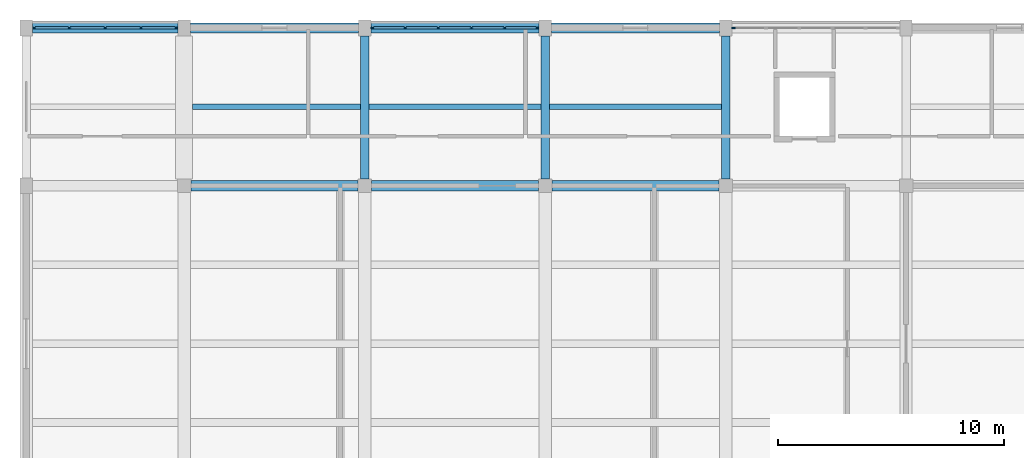
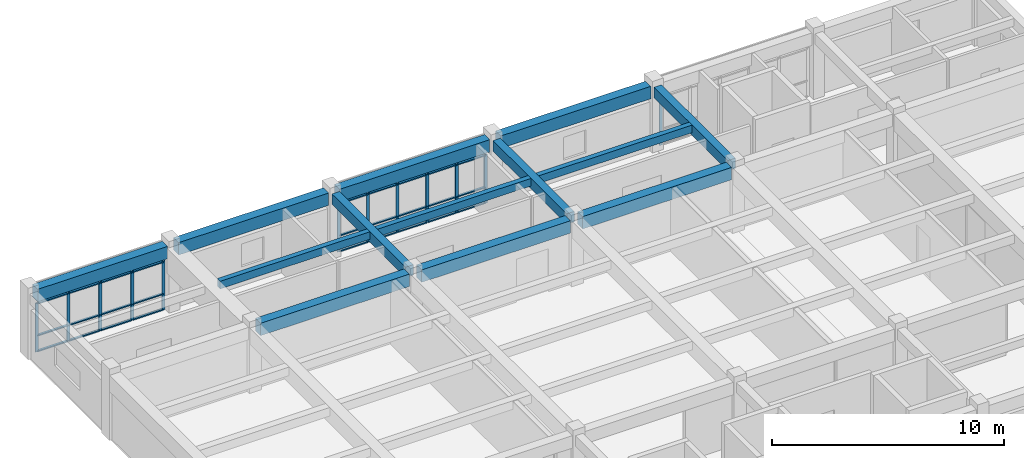
# One storey, part 2 of 17: 39 members, 13 beams, 3 elements without a shape of their own.
"""IFC4 building model written with IfcOpenShell, lengths in metres."""

from ifc_helpers import new_model, si_unit, direction, frame, origin, origin_2d, place, context, subcontext, project, spatial, rectangle, extrude, material, layer, layer_set, material_profile, profile_set, type_object, element, aggregate, save


model = new_model("IFC4")

# Units and contexts
model_context = context("Model", 3, precision=1e-05, world=origin(), true_north=direction((0.0, 1.0)))
body_context = subcontext(model_context, "Body", "Model", "MODEL_VIEW")
ifc_project = project(units=[si_unit("LENGTHUNIT", "METRE"), si_unit("AREAUNIT", "SQUARE_METRE"), si_unit("VOLUMEUNIT", "CUBIC_METRE"), si_unit("PLANEANGLEUNIT", "RADIAN"), si_unit("MASSUNIT", "GRAM", prefix="KILO")], contexts=[model_context])

# Site, building, storey
site_placement = place(None, origin())
site = spatial("IfcSite", under=ifc_project, at=site_placement, CompositionType="ELEMENT")
building_placement = place(site_placement, origin())
building = spatial("IfcBuilding", under=site, at=building_placement, Name="Naurynzar Civic Courthouse", CompositionType="ELEMENT")
storey_placement = place(building_placement, frame((0.0, 0.0, 29.550048828125)))
storey = spatial("IfcBuildingStorey", under=building, at=storey_placement, Name="L08", CompositionType="ELEMENT", Elevation=29.550048828125)

# Beams
ifc_material_1 = material(Name="Concrete C40/50", Category="concrete")
ifc_material_profile_1 = material_profile(ifc_material_1, rectangle(XDim=0.25, YDim=0.39990234375, at=origin_2d()), Name="RCB 250x400")
ifc_profile_set_1 = profile_set([ifc_material_profile_1], Name="Concrete C40/50")
beam_type_1 = type_object("IfcBeamType", Name="BM-JST-250x400", PredefinedType="JOIST", material=ifc_profile_set_1)
beam_1_placement = place(storey_placement, frame((69.375, 68.5, 3.22998046875), z_axis=(1.0, 0.0, 0.0), x_axis=(0.0, 1.0, 0.0)))
element("IfcBeam", 1, at=beam_1_placement, inside=storey, type_object=beam_type_1, Name="V2 secondary rib 1066 L08", PredefinedType="JOIST", context=body_context, shape_type="SweptSolid", body=[
    extrude(rectangle(XDim=0.25, YDim=0.39990234375, at=origin_2d()), origin(), (0.0, 0.0, 1.0), 7.4375),
])
for number, where, z_axis, x_axis, name in (
    (2, (77.1875, 68.5, 3.22998046875), (1.0, 0.0, 0.0), (0.0, 1.0, 0.0), "V2 secondary rib 1067 L08"),
    (3, (85.1875, 68.5, 3.22998046875), (1.0, 0.0, 0.0), (0.0, 1.0, 0.0), "V2 secondary rib 1068 L08"),
):
    element("IfcBeam", number, at=place(storey_placement, frame(where, z_axis=z_axis, x_axis=x_axis)), inside=storey, type_object=beam_type_1, Name=name, PredefinedType="JOIST", context=body_context, shape_type="SweptSolid", body=[
        extrude(rectangle(XDim=0.25, YDim=0.39990234375, at=origin_2d()), origin(), (0.0, 0.0, 1.0), 7.625),
    ])
ifc_material_2 = material(Name="Concrete C40/50", Category="concrete")
ifc_material_profile_2 = material_profile(ifc_material_2, rectangle(XDim=0.375, YDim=0.550048828125, at=origin_2d()), Name="RCB 375x550")
ifc_profile_set_2 = profile_set([ifc_material_profile_2], Name="Concrete C40/50")
beam_type_2 = type_object("IfcBeamType", Name="BM-RC-375x550", PredefinedType="BEAM", material=ifc_profile_set_2)
for number, where, z_axis, x_axis, name in (
    (4, (77.0, 65.300048828125, 3.155029296875), (0.0, 1.0, 0.0), (-1.0, 0.0, 0.0), "V2 girder Y-1032 L08"),
    (5, (85.0, 65.300048828125, 3.155029296875), (0.0, 1.0, 0.0), (-1.0, 0.0, 0.0), "V2 girder Y-1035 L08"),
    (6, (93.0, 65.300048828125, 3.155029296875), (0.0, 1.0, 0.0), (-1.0, 0.0, 0.0), "V2 girder Y-1038 L08"),
):
    element("IfcBeam", number, at=place(storey_placement, frame(where, z_axis=z_axis, x_axis=x_axis)), inside=storey, type_object=beam_type_2, Name=name, PredefinedType="BEAM", context=body_context, shape_type="SweptSolid", body=[
        extrude(rectangle(XDim=0.375, YDim=0.550048828125, at=origin_2d()), origin(), (0.0, 0.0, 1.0), 6.349853515625),
    ])
ifc_material_3 = material(Name="Concrete C40/50", Category="concrete")
ifc_material_profile_3 = material_profile(ifc_material_3, rectangle(XDim=0.449951171875, YDim=0.64990234375, at=origin_2d()), Name="RCB 450x650")
ifc_profile_set_3 = profile_set([ifc_material_profile_3], Name="Concrete C40/50")
beam_type_3 = type_object("IfcBeamType", Name="BM-RC-450x650", PredefinedType="BEAM", material=ifc_profile_set_3)
for number, where, z_axis, x_axis, name in (
    (7, (69.300048828125, 65.0, 3.10498046875), (1.0, 0.0, 0.0), (0.0, 1.0, 0.0), "V2 beam X-1013 L08"),
    (8, (77.300048828125, 65.0, 3.10498046875), (1.0, 0.0, 0.0), (0.0, 1.0, 0.0), "V2 beam X-1014 L08"),
    (9, (85.300048828125, 65.0, 3.10498046875), (1.0, 0.0, 0.0), (0.0, 1.0, 0.0), "V2 beam X-1015 L08"),
):
    element("IfcBeam", number, at=place(storey_placement, frame(where, z_axis=z_axis, x_axis=x_axis)), inside=storey, type_object=beam_type_3, Name=name, PredefinedType="BEAM", context=body_context, shape_type="SweptSolid", body=[
        extrude(rectangle(XDim=0.449951171875, YDim=0.64990234375, at=origin_2d()), origin(), (0.0, 0.0, 1.0), 7.39990234375),
    ])
beam_2_placement = place(storey_placement, frame((62.27490234375, 72.0, 3.10498046875), z_axis=(1.0, 0.0, 0.0), x_axis=(0.0, 1.0, 0.0)))
element("IfcBeam", 10, at=beam_2_placement, inside=storey, type_object=beam_type_3, Name="V2 beam X-1018 L08", PredefinedType="BEAM", context=body_context, shape_type="SweptSolid", body=[
    extrude(rectangle(XDim=0.449951171875, YDim=0.64990234375, at=origin_2d()), origin(), (0.0, 0.0, 1.0), 6.4501953125),
])
for number, where, z_axis, x_axis, name in (
    (11, (69.27490234375, 72.0, 3.10498046875), (1.0, 0.0, 0.0), (0.0, 1.0, 0.0), "V2 beam X-1019 L08"),
    (12, (77.27490234375, 72.0, 3.10498046875), (1.0, 0.0, 0.0), (0.0, 1.0, 0.0), "V2 beam X-1020 L08"),
    (13, (85.27490234375, 72.0, 3.10498046875), (1.0, 0.0, 0.0), (0.0, 1.0, 0.0), "V2 beam X-1021 L08"),
):
    element("IfcBeam", number, at=place(storey_placement, frame(where, z_axis=z_axis, x_axis=x_axis)), inside=storey, type_object=beam_type_3, Name=name, PredefinedType="BEAM", context=body_context, shape_type="SweptSolid", body=[
        extrude(rectangle(XDim=0.449951171875, YDim=0.64990234375, at=origin_2d()), origin(), (0.0, 0.0, 1.0), 7.4501953125),
    ])

# Curtain wall, members
ifc_material_4 = material(Name="Aluminium 6063-T6", Category="aluminium")
ifc_layer = layer(ifc_material_4, 0.179931640625)
ifc_layer_set = layer_set([ifc_layer], Name="CW-UNIT-1500")
curtain_wall_type = type_object("IfcCurtainWallType", Name="CW-UNIT-1500", PredefinedType="NOTDEFINED", material=ifc_layer_set)
curtain_wall_1_placement = place(storey_placement, origin())
curtain_wall_1 = element("IfcCurtainWall", 14, at=curtain_wall_1_placement, inside=storey, type_object=curtain_wall_type, Name="V2 unitised curtain wall 54 L08", PredefinedType="NOTDEFINED")
ifc_material_5 = material(Name="Aluminium 6063-T6", Category="aluminium")
ifc_material_profile_4 = material_profile(ifc_material_5, rectangle(XDim=0.06005859375, YDim=0.14990234375, at=origin_2d()), Name="ALU MULLION 60x150")
ifc_profile_set_4 = profile_set([ifc_material_profile_4], Name="Aluminium 6063-T6")
member_type_1 = type_object("IfcMemberType", Name="CWM-60x150", PredefinedType="MULLION", material=ifc_profile_set_4)
member_1_placement = place(storey_placement, frame((62.35498046875, 72.0, 0.0), z_axis=(0.0, 0.0, 1.0), x_axis=(0.0, 1.0, 0.0)))
member_1 = element("IfcMember", 15, at=member_1_placement, type_object=member_type_1, Name="CW-01 mullion 1", PredefinedType="MULLION", context=body_context, shape_type="SweptSolid", body=[
    extrude(rectangle(XDim=0.06005859375, YDim=0.14990234375, at=origin_2d()), origin(), (0.0, 0.0, 1.0), 2.56005859375),
])
member_2_placement = place(storey_placement, frame((63.91259765625, 72.0, 0.0), z_axis=(0.0, 0.0, 1.0), x_axis=(0.0, 1.0, 0.0)))
member_2 = element("IfcMember", 16, at=member_2_placement, type_object=member_type_1, Name="CW-01 mullion 2", PredefinedType="MULLION", context=body_context, shape_type="SweptSolid", body=[
    extrude(rectangle(XDim=0.06005859375, YDim=0.14990234375, at=origin_2d()), origin(), (0.0, 0.0, 1.0), 2.56005859375),
])
member_3_placement = place(storey_placement, frame((65.5, 72.0, 0.0), z_axis=(0.0, 0.0, 1.0), x_axis=(0.0, 1.0, 0.0)))
member_3 = element("IfcMember", 17, at=member_3_placement, type_object=member_type_1, Name="CW-01 mullion 3", PredefinedType="MULLION", context=body_context, shape_type="SweptSolid", body=[
    extrude(rectangle(XDim=0.06005859375, YDim=0.14990234375, at=origin_2d()), origin(), (0.0, 0.0, 1.0), 2.56005859375),
])
member_4_placement = place(storey_placement, frame((67.08740234375, 72.0, 0.0), z_axis=(0.0, 0.0, 1.0), x_axis=(0.0, 1.0, 0.0)))
member_4 = element("IfcMember", 18, at=member_4_placement, type_object=member_type_1, Name="CW-01 mullion 4", PredefinedType="MULLION", context=body_context, shape_type="SweptSolid", body=[
    extrude(rectangle(XDim=0.06005859375, YDim=0.14990234375, at=origin_2d()), origin(), (0.0, 0.0, 1.0), 2.56005859375),
])
member_5_placement = place(storey_placement, frame((68.64501953125, 72.0, 0.0), z_axis=(0.0, 0.0, 1.0), x_axis=(0.0, 1.0, 0.0)))
member_5 = element("IfcMember", 19, at=member_5_placement, type_object=member_type_1, Name="CW-01 mullion 5", PredefinedType="MULLION", context=body_context, shape_type="SweptSolid", body=[
    extrude(rectangle(XDim=0.06005859375, YDim=0.14990234375, at=origin_2d()), origin(), (0.0, 0.0, 1.0), 2.56005859375),
])

curtain_wall_2_placement = place(storey_placement, origin())
curtain_wall_2 = element("IfcCurtainWall", 20, at=curtain_wall_2_placement, inside=storey, type_object=curtain_wall_type, Name="V2 unitised curtain wall 55 L08", PredefinedType="NOTDEFINED")
member_6_placement = place(storey_placement, frame((77.35498046875, 72.0, 0.0), z_axis=(0.0, 0.0, 1.0), x_axis=(0.0, 1.0, 0.0)))
member_6 = element("IfcMember", 21, at=member_6_placement, type_object=member_type_1, Name="CW-01 mullion 1", PredefinedType="MULLION", context=body_context, shape_type="SweptSolid", body=[
    extrude(rectangle(XDim=0.06005859375, YDim=0.14990234375, at=origin_2d()), origin(), (0.0, 0.0, 1.0), 2.56005859375),
])
member_7_placement = place(storey_placement, frame((78.794921875, 72.0, 0.0), z_axis=(0.0, 0.0, 1.0), x_axis=(0.0, 1.0, 0.0)))
member_7 = element("IfcMember", 22, at=member_7_placement, type_object=member_type_1, Name="CW-01 mullion 2", PredefinedType="MULLION", context=body_context, shape_type="SweptSolid", body=[
    extrude(rectangle(XDim=0.06005859375, YDim=0.14990234375, at=origin_2d()), origin(), (0.0, 0.0, 1.0), 2.56005859375),
])
member_8_placement = place(storey_placement, frame((80.264892578125, 72.0, 0.0), z_axis=(0.0, 0.0, 1.0), x_axis=(0.0, 1.0, 0.0)))
member_8 = element("IfcMember", 23, at=member_8_placement, type_object=member_type_1, Name="CW-01 mullion 3", PredefinedType="MULLION", context=body_context, shape_type="SweptSolid", body=[
    extrude(rectangle(XDim=0.06005859375, YDim=0.14990234375, at=origin_2d()), origin(), (0.0, 0.0, 1.0), 2.56005859375),
])
member_9_placement = place(storey_placement, frame((81.735107421875, 72.0, 0.0), z_axis=(0.0, 0.0, 1.0), x_axis=(0.0, 1.0, 0.0)))
member_9 = element("IfcMember", 24, at=member_9_placement, type_object=member_type_1, Name="CW-01 mullion 4", PredefinedType="MULLION", context=body_context, shape_type="SweptSolid", body=[
    extrude(rectangle(XDim=0.06005859375, YDim=0.14990234375, at=origin_2d()), origin(), (0.0, 0.0, 1.0), 2.56005859375),
])
member_10_placement = place(storey_placement, frame((83.205078125, 72.0, 0.0), z_axis=(0.0, 0.0, 1.0), x_axis=(0.0, 1.0, 0.0)))
member_10 = element("IfcMember", 25, at=member_10_placement, type_object=member_type_1, Name="CW-01 mullion 5", PredefinedType="MULLION", context=body_context, shape_type="SweptSolid", body=[
    extrude(rectangle(XDim=0.06005859375, YDim=0.14990234375, at=origin_2d()), origin(), (0.0, 0.0, 1.0), 2.56005859375),
])
member_11_placement = place(storey_placement, frame((84.64501953125, 72.0, 0.0), z_axis=(0.0, 0.0, 1.0), x_axis=(0.0, 1.0, 0.0)))
member_11 = element("IfcMember", 26, at=member_11_placement, type_object=member_type_1, Name="CW-01 mullion 6", PredefinedType="MULLION", context=body_context, shape_type="SweptSolid", body=[
    extrude(rectangle(XDim=0.06005859375, YDim=0.14990234375, at=origin_2d()), origin(), (0.0, 0.0, 1.0), 2.56005859375),
])

# Curtain wall, member
curtain_wall_3_placement = place(storey_placement, origin())
curtain_wall_3 = element("IfcCurtainWall", 27, at=curtain_wall_3_placement, inside=storey, type_object=curtain_wall_type, Name="V2 unitised curtain wall 56 L08", PredefinedType="NOTDEFINED")
member_12_placement = place(storey_placement, frame((93.35498046875, 72.0, 0.0), z_axis=(0.0, 0.0, 1.0), x_axis=(0.0, 1.0, 0.0)))
member_12 = element("IfcMember", 28, at=member_12_placement, type_object=member_type_1, Name="CW-01 mullion 1", PredefinedType="MULLION", context=body_context, shape_type="SweptSolid", body=[
    extrude(rectangle(XDim=0.06005859375, YDim=0.14990234375, at=origin_2d()), origin(), (0.0, 0.0, 1.0), 2.56005859375),
])
aggregate(curtain_wall_3, [member_12])

# Member
ifc_material_6 = material(Name="Aluminium 6063-T6", Category="aluminium")
ifc_material_profile_5 = material_profile(ifc_material_6, rectangle(XDim=0.110107421875, YDim=0.06005859375, at=origin_2d()), Name="ALU TRANSOM 60x110")
ifc_profile_set_5 = profile_set([ifc_material_profile_5], Name="Aluminium 6063-T6")
member_type_2 = type_object("IfcMemberType", Name="CWT-60x110", PredefinedType="USERDEFINED", material=ifc_profile_set_5)
member_13_placement = place(storey_placement, frame((62.385009765625, 72.0, 0.030029296875), z_axis=(1.0, 0.0, 0.0), x_axis=(0.0, 1.0, 0.0)))
member_13 = element("IfcMember", 29, at=member_13_placement, type_object=member_type_2, Name="CW-01 transom 1.1", ObjectType="TRANSOM", PredefinedType="USERDEFINED", context=body_context, shape_type="SweptSolid", body=[
    extrude(rectangle(XDim=0.110107421875, YDim=0.06005859375, at=origin_2d()), origin(), (0.0, 0.0, 1.0), 1.49755859375),
])

member_14_placement = place(storey_placement, frame((62.385009765625, 72.0, 0.849853515625), z_axis=(1.0, 0.0, 0.0), x_axis=(0.0, 1.0, 0.0)))
member_14 = element("IfcMember", 30, at=member_14_placement, type_object=member_type_2, Name="CW-01 transom 1.2", ObjectType="TRANSOM", PredefinedType="USERDEFINED", context=body_context, shape_type="SweptSolid", body=[
    extrude(rectangle(XDim=0.110107421875, YDim=0.06005859375, at=origin_2d()), origin(), (0.0, 0.0, 1.0), 1.49755859375),
])

member_15_placement = place(storey_placement, frame((62.385009765625, 72.0, 2.530029296875), z_axis=(1.0, 0.0, 0.0), x_axis=(0.0, 1.0, 0.0)))
member_15 = element("IfcMember", 31, at=member_15_placement, type_object=member_type_2, Name="CW-01 transom 1.3", ObjectType="TRANSOM", PredefinedType="USERDEFINED", context=body_context, shape_type="SweptSolid", body=[
    extrude(rectangle(XDim=0.110107421875, YDim=0.06005859375, at=origin_2d()), origin(), (0.0, 0.0, 1.0), 1.49755859375),
])

member_16_placement = place(storey_placement, frame((63.9423828125, 72.0, 0.030029296875), z_axis=(1.0, 0.0, 0.0), x_axis=(0.0, 1.0, 0.0)))
member_16 = element("IfcMember", 32, at=member_16_placement, type_object=member_type_2, Name="CW-01 transom 2.1", ObjectType="TRANSOM", PredefinedType="USERDEFINED", context=body_context, shape_type="SweptSolid", body=[
    extrude(rectangle(XDim=0.110107421875, YDim=0.06005859375, at=origin_2d()), origin(), (0.0, 0.0, 1.0), 1.527587890625),
])

member_17_placement = place(storey_placement, frame((63.9423828125, 72.0, 0.849853515625), z_axis=(1.0, 0.0, 0.0), x_axis=(0.0, 1.0, 0.0)))
member_17 = element("IfcMember", 33, at=member_17_placement, type_object=member_type_2, Name="CW-01 transom 2.2", ObjectType="TRANSOM", PredefinedType="USERDEFINED", context=body_context, shape_type="SweptSolid", body=[
    extrude(rectangle(XDim=0.110107421875, YDim=0.06005859375, at=origin_2d()), origin(), (0.0, 0.0, 1.0), 1.527587890625),
])

member_18_placement = place(storey_placement, frame((63.9423828125, 72.0, 2.530029296875), z_axis=(1.0, 0.0, 0.0), x_axis=(0.0, 1.0, 0.0)))
member_18 = element("IfcMember", 34, at=member_18_placement, type_object=member_type_2, Name="CW-01 transom 2.3", ObjectType="TRANSOM", PredefinedType="USERDEFINED", context=body_context, shape_type="SweptSolid", body=[
    extrude(rectangle(XDim=0.110107421875, YDim=0.06005859375, at=origin_2d()), origin(), (0.0, 0.0, 1.0), 1.527587890625),
])

member_19_placement = place(storey_placement, frame((65.530029296875, 72.0, 0.030029296875), z_axis=(1.0, 0.0, 0.0), x_axis=(0.0, 1.0, 0.0)))
member_19 = element("IfcMember", 35, at=member_19_placement, type_object=member_type_2, Name="CW-01 transom 3.1", ObjectType="TRANSOM", PredefinedType="USERDEFINED", context=body_context, shape_type="SweptSolid", body=[
    extrude(rectangle(XDim=0.110107421875, YDim=0.06005859375, at=origin_2d()), origin(), (0.0, 0.0, 1.0), 1.527587890625),
])

member_20_placement = place(storey_placement, frame((65.530029296875, 72.0, 0.849853515625), z_axis=(1.0, 0.0, 0.0), x_axis=(0.0, 1.0, 0.0)))
member_20 = element("IfcMember", 36, at=member_20_placement, type_object=member_type_2, Name="CW-01 transom 3.2", ObjectType="TRANSOM", PredefinedType="USERDEFINED", context=body_context, shape_type="SweptSolid", body=[
    extrude(rectangle(XDim=0.110107421875, YDim=0.06005859375, at=origin_2d()), origin(), (0.0, 0.0, 1.0), 1.527587890625),
])

member_21_placement = place(storey_placement, frame((65.530029296875, 72.0, 2.530029296875), z_axis=(1.0, 0.0, 0.0), x_axis=(0.0, 1.0, 0.0)))
member_21 = element("IfcMember", 37, at=member_21_placement, type_object=member_type_2, Name="CW-01 transom 3.3", ObjectType="TRANSOM", PredefinedType="USERDEFINED", context=body_context, shape_type="SweptSolid", body=[
    extrude(rectangle(XDim=0.110107421875, YDim=0.06005859375, at=origin_2d()), origin(), (0.0, 0.0, 1.0), 1.527587890625),
])

member_22_placement = place(storey_placement, frame((67.117431640625, 72.0, 0.030029296875), z_axis=(1.0, 0.0, 0.0), x_axis=(0.0, 1.0, 0.0)))
member_22 = element("IfcMember", 38, at=member_22_placement, type_object=member_type_2, Name="CW-01 transom 4.1", ObjectType="TRANSOM", PredefinedType="USERDEFINED", context=body_context, shape_type="SweptSolid", body=[
    extrude(rectangle(XDim=0.110107421875, YDim=0.06005859375, at=origin_2d()), origin(), (0.0, 0.0, 1.0), 1.49755859375),
])

member_23_placement = place(storey_placement, frame((67.117431640625, 72.0, 0.849853515625), z_axis=(1.0, 0.0, 0.0), x_axis=(0.0, 1.0, 0.0)))
member_23 = element("IfcMember", 39, at=member_23_placement, type_object=member_type_2, Name="CW-01 transom 4.2", ObjectType="TRANSOM", PredefinedType="USERDEFINED", context=body_context, shape_type="SweptSolid", body=[
    extrude(rectangle(XDim=0.110107421875, YDim=0.06005859375, at=origin_2d()), origin(), (0.0, 0.0, 1.0), 1.49755859375),
])

member_24_placement = place(storey_placement, frame((67.117431640625, 72.0, 2.530029296875), z_axis=(1.0, 0.0, 0.0), x_axis=(0.0, 1.0, 0.0)))
member_24 = element("IfcMember", 40, at=member_24_placement, type_object=member_type_2, Name="CW-01 transom 4.3", ObjectType="TRANSOM", PredefinedType="USERDEFINED", context=body_context, shape_type="SweptSolid", body=[
    extrude(rectangle(XDim=0.110107421875, YDim=0.06005859375, at=origin_2d()), origin(), (0.0, 0.0, 1.0), 1.49755859375),
])

aggregate(curtain_wall_1, [member_1, member_2, member_3, member_4, member_5, member_13, member_14, member_15, member_16, member_17, member_18, member_19, member_20, member_21, member_22, member_23, member_24])

member_25_placement = place(storey_placement, frame((77.385009765625, 72.0, 0.030029296875), z_axis=(1.0, 0.0, 0.0), x_axis=(0.0, 1.0, 0.0)))
member_25 = element("IfcMember", 41, at=member_25_placement, type_object=member_type_2, Name="CW-01 transom 1.1", ObjectType="TRANSOM", PredefinedType="USERDEFINED", context=body_context, shape_type="SweptSolid", body=[
    extrude(rectangle(XDim=0.110107421875, YDim=0.06005859375, at=origin_2d()), origin(), (0.0, 0.0, 1.0), 1.3798828125),
])

member_26_placement = place(storey_placement, frame((77.385009765625, 72.0, 0.849853515625), z_axis=(1.0, 0.0, 0.0), x_axis=(0.0, 1.0, 0.0)))
member_26 = element("IfcMember", 42, at=member_26_placement, type_object=member_type_2, Name="CW-01 transom 1.2", ObjectType="TRANSOM", PredefinedType="USERDEFINED", context=body_context, shape_type="SweptSolid", body=[
    extrude(rectangle(XDim=0.110107421875, YDim=0.06005859375, at=origin_2d()), origin(), (0.0, 0.0, 1.0), 1.3798828125),
])

member_27_placement = place(storey_placement, frame((77.385009765625, 72.0, 2.530029296875), z_axis=(1.0, 0.0, 0.0), x_axis=(0.0, 1.0, 0.0)))
member_27 = element("IfcMember", 43, at=member_27_placement, type_object=member_type_2, Name="CW-01 transom 1.3", ObjectType="TRANSOM", PredefinedType="USERDEFINED", context=body_context, shape_type="SweptSolid", body=[
    extrude(rectangle(XDim=0.110107421875, YDim=0.06005859375, at=origin_2d()), origin(), (0.0, 0.0, 1.0), 1.3798828125),
])

member_28_placement = place(storey_placement, frame((78.824951171875, 72.0, 0.030029296875), z_axis=(1.0, 0.0, 0.0), x_axis=(0.0, 1.0, 0.0)))
member_28 = element("IfcMember", 44, at=member_28_placement, type_object=member_type_2, Name="CW-01 transom 2.1", ObjectType="TRANSOM", PredefinedType="USERDEFINED", context=body_context, shape_type="SweptSolid", body=[
    extrude(rectangle(XDim=0.110107421875, YDim=0.06005859375, at=origin_2d()), origin(), (0.0, 0.0, 1.0), 1.41015625),
])

member_29_placement = place(storey_placement, frame((78.824951171875, 72.0, 0.849853515625), z_axis=(1.0, 0.0, 0.0), x_axis=(0.0, 1.0, 0.0)))
member_29 = element("IfcMember", 45, at=member_29_placement, type_object=member_type_2, Name="CW-01 transom 2.2", ObjectType="TRANSOM", PredefinedType="USERDEFINED", context=body_context, shape_type="SweptSolid", body=[
    extrude(rectangle(XDim=0.110107421875, YDim=0.06005859375, at=origin_2d()), origin(), (0.0, 0.0, 1.0), 1.41015625),
])

member_30_placement = place(storey_placement, frame((78.824951171875, 72.0, 2.530029296875), z_axis=(1.0, 0.0, 0.0), x_axis=(0.0, 1.0, 0.0)))
member_30 = element("IfcMember", 46, at=member_30_placement, type_object=member_type_2, Name="CW-01 transom 2.3", ObjectType="TRANSOM", PredefinedType="USERDEFINED", context=body_context, shape_type="SweptSolid", body=[
    extrude(rectangle(XDim=0.110107421875, YDim=0.06005859375, at=origin_2d()), origin(), (0.0, 0.0, 1.0), 1.41015625),
])

member_31_placement = place(storey_placement, frame((80.294921875, 72.0, 0.030029296875), z_axis=(1.0, 0.0, 0.0), x_axis=(0.0, 1.0, 0.0)))
member_31 = element("IfcMember", 47, at=member_31_placement, type_object=member_type_2, Name="CW-01 transom 3.1", ObjectType="TRANSOM", PredefinedType="USERDEFINED", context=body_context, shape_type="SweptSolid", body=[
    extrude(rectangle(XDim=0.110107421875, YDim=0.06005859375, at=origin_2d()), origin(), (0.0, 0.0, 1.0), 1.41015625),
])

member_32_placement = place(storey_placement, frame((80.294921875, 72.0, 0.849853515625), z_axis=(1.0, 0.0, 0.0), x_axis=(0.0, 1.0, 0.0)))
member_32 = element("IfcMember", 48, at=member_32_placement, type_object=member_type_2, Name="CW-01 transom 3.2", ObjectType="TRANSOM", PredefinedType="USERDEFINED", context=body_context, shape_type="SweptSolid", body=[
    extrude(rectangle(XDim=0.110107421875, YDim=0.06005859375, at=origin_2d()), origin(), (0.0, 0.0, 1.0), 1.41015625),
])

member_33_placement = place(storey_placement, frame((80.294921875, 72.0, 2.530029296875), z_axis=(1.0, 0.0, 0.0), x_axis=(0.0, 1.0, 0.0)))
member_33 = element("IfcMember", 49, at=member_33_placement, type_object=member_type_2, Name="CW-01 transom 3.3", ObjectType="TRANSOM", PredefinedType="USERDEFINED", context=body_context, shape_type="SweptSolid", body=[
    extrude(rectangle(XDim=0.110107421875, YDim=0.06005859375, at=origin_2d()), origin(), (0.0, 0.0, 1.0), 1.41015625),
])

member_34_placement = place(storey_placement, frame((81.764892578125, 72.0, 0.030029296875), z_axis=(1.0, 0.0, 0.0), x_axis=(0.0, 1.0, 0.0)))
member_34 = element("IfcMember", 50, at=member_34_placement, type_object=member_type_2, Name="CW-01 transom 4.1", ObjectType="TRANSOM", PredefinedType="USERDEFINED", context=body_context, shape_type="SweptSolid", body=[
    extrude(rectangle(XDim=0.110107421875, YDim=0.06005859375, at=origin_2d()), origin(), (0.0, 0.0, 1.0), 1.41015625),
])

member_35_placement = place(storey_placement, frame((81.764892578125, 72.0, 0.849853515625), z_axis=(1.0, 0.0, 0.0), x_axis=(0.0, 1.0, 0.0)))
member_35 = element("IfcMember", 51, at=member_35_placement, type_object=member_type_2, Name="CW-01 transom 4.2", ObjectType="TRANSOM", PredefinedType="USERDEFINED", context=body_context, shape_type="SweptSolid", body=[
    extrude(rectangle(XDim=0.110107421875, YDim=0.06005859375, at=origin_2d()), origin(), (0.0, 0.0, 1.0), 1.41015625),
])

member_36_placement = place(storey_placement, frame((81.764892578125, 72.0, 2.530029296875), z_axis=(1.0, 0.0, 0.0), x_axis=(0.0, 1.0, 0.0)))
member_36 = element("IfcMember", 52, at=member_36_placement, type_object=member_type_2, Name="CW-01 transom 4.3", ObjectType="TRANSOM", PredefinedType="USERDEFINED", context=body_context, shape_type="SweptSolid", body=[
    extrude(rectangle(XDim=0.110107421875, YDim=0.06005859375, at=origin_2d()), origin(), (0.0, 0.0, 1.0), 1.41015625),
])

member_37_placement = place(storey_placement, frame((83.235107421875, 72.0, 0.030029296875), z_axis=(1.0, 0.0, 0.0), x_axis=(0.0, 1.0, 0.0)))
member_37 = element("IfcMember", 53, at=member_37_placement, type_object=member_type_2, Name="CW-01 transom 5.1", ObjectType="TRANSOM", PredefinedType="USERDEFINED", context=body_context, shape_type="SweptSolid", body=[
    extrude(rectangle(XDim=0.110107421875, YDim=0.06005859375, at=origin_2d()), origin(), (0.0, 0.0, 1.0), 1.3798828125),
])

member_38_placement = place(storey_placement, frame((83.235107421875, 72.0, 0.849853515625), z_axis=(1.0, 0.0, 0.0), x_axis=(0.0, 1.0, 0.0)))
member_38 = element("IfcMember", 54, at=member_38_placement, type_object=member_type_2, Name="CW-01 transom 5.2", ObjectType="TRANSOM", PredefinedType="USERDEFINED", context=body_context, shape_type="SweptSolid", body=[
    extrude(rectangle(XDim=0.110107421875, YDim=0.06005859375, at=origin_2d()), origin(), (0.0, 0.0, 1.0), 1.3798828125),
])

member_39_placement = place(storey_placement, frame((83.235107421875, 72.0, 2.530029296875), z_axis=(1.0, 0.0, 0.0), x_axis=(0.0, 1.0, 0.0)))
member_39 = element("IfcMember", 55, at=member_39_placement, type_object=member_type_2, Name="CW-01 transom 5.3", ObjectType="TRANSOM", PredefinedType="USERDEFINED", context=body_context, shape_type="SweptSolid", body=[
    extrude(rectangle(XDim=0.110107421875, YDim=0.06005859375, at=origin_2d()), origin(), (0.0, 0.0, 1.0), 1.3798828125),
])

aggregate(curtain_wall_2, [member_6, member_7, member_8, member_9, member_10, member_11, member_25, member_26, member_27, member_28, member_29, member_30, member_31, member_32, member_33, member_34, member_35, member_36, member_37, member_38, member_39])

save(model, "model.ifc")
